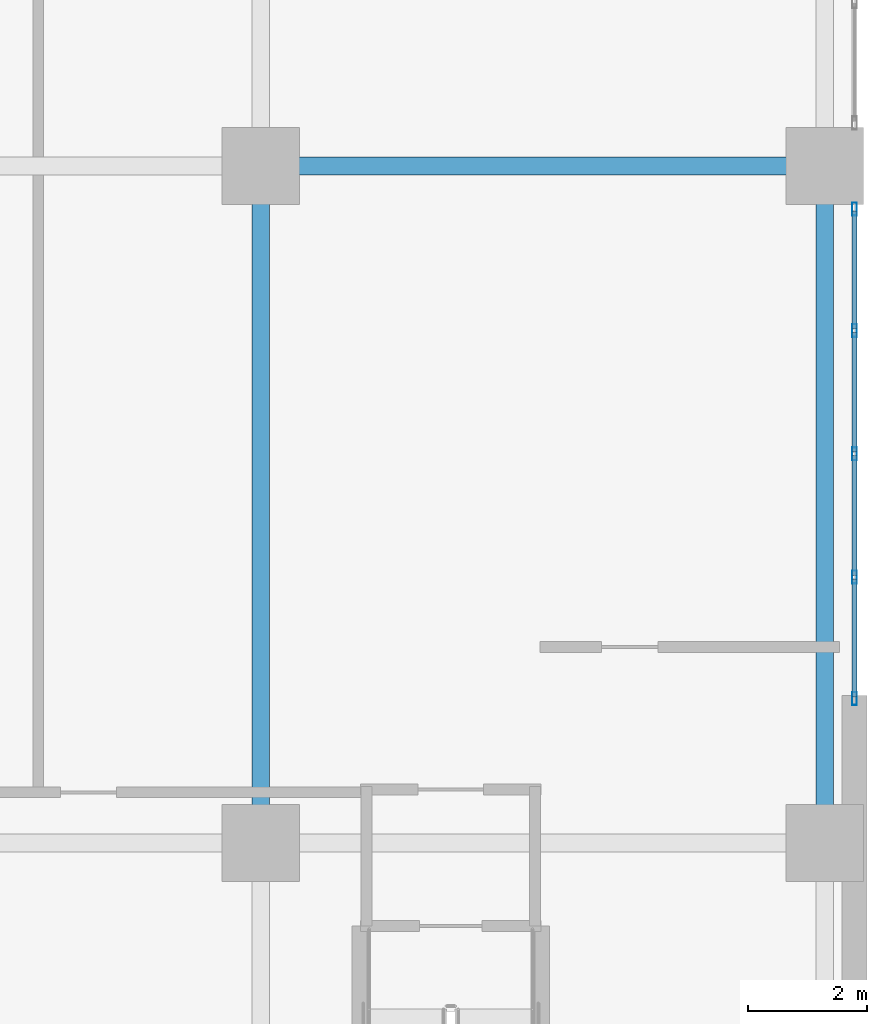
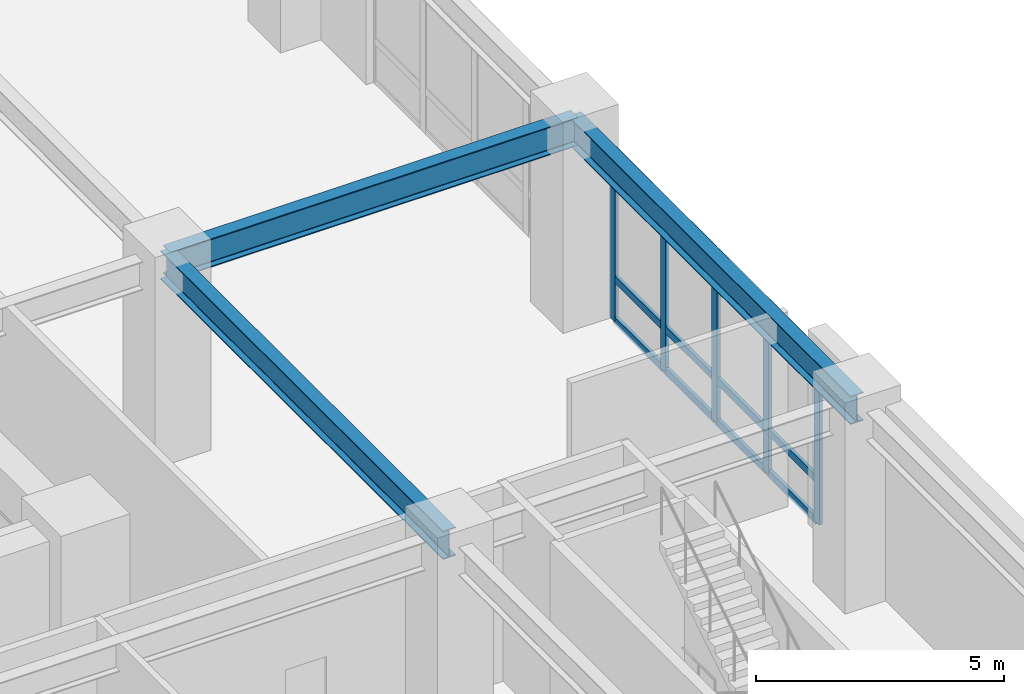
# One storey, part 14 of 26: 17 members, 3 beams, 1 element without a shape of its own.
"""IFC4 building model written with IfcOpenShell, lengths in metres."""

from ifc_helpers import new_model, si_unit, direction, frame, origin, origin_2d, place, context, subcontext, project, spatial, hollow_rectangle, i_section, extrude, material, layer, layer_set, material_profile, profile_set, type_object, element, aggregate, save


model = new_model("IFC4")

# Units and contexts
model_context = context("Model", 3, precision=1e-05, world=origin(), true_north=direction((0.0, 1.0)))
body_context = subcontext(model_context, "Body", "Model", "MODEL_VIEW")
ifc_project = project(units=[si_unit("LENGTHUNIT", "METRE"), si_unit("AREAUNIT", "SQUARE_METRE"), si_unit("VOLUMEUNIT", "CUBIC_METRE"), si_unit("PLANEANGLEUNIT", "RADIAN"), si_unit("MASSUNIT", "GRAM", prefix="KILO")], contexts=[model_context])

# Site, building, storey
site_placement = place(None, origin())
site = spatial("IfcSite", under=ifc_project, at=site_placement, CompositionType="ELEMENT")
building_placement = place(site_placement, origin())
building = spatial("IfcBuilding", under=site, at=building_placement, Name="Voryun Gate Residences", CompositionType="ELEMENT")
storey_placement = place(building_placement, frame((0.0, 0.0, 15.60009765625)))
storey = spatial("IfcBuildingStorey", under=building, at=storey_placement, Name="L03", CompositionType="ELEMENT", Elevation=15.60009765625)

# Beams
ifc_material_1 = material(Name="Steel SM355", Category="steel")
ifc_material_profile_1 = material_profile(ifc_material_1, i_section(OverallWidth=0.300048828125, OverallDepth=0.699951171875, WebThickness=0.012939453125, FlangeThickness=0.02392578125, FilletRadius=0.01806640625, at=origin_2d()), Name="H-700x300x13x24")
ifc_profile_set_1 = profile_set([ifc_material_profile_1], Name="Steel SM355")
beam_type = type_object("IfcBeamType", Name="BM_GIRD_700", PredefinedType="USERDEFINED", material=ifc_profile_set_1)
beam_placement = place(storey_placement, frame((25.60009765625, 0.0, 4.449951171875), z_axis=(1.0, 0.0, 0.0), x_axis=(0.0, 1.0, 0.0)))
element("IfcBeam", 1, at=beam_placement, inside=storey, type_object=beam_type, Name="BM-L03-PEX-+0.0-1", ObjectType="GIRDER", PredefinedType="USERDEFINED", context=body_context, shape_type="SweptSolid", body=[
    extrude(i_section(OverallWidth=0.300048828125, OverallDepth=0.699951171875, WebThickness=0.012939453125, FlangeThickness=0.02392578125, FilletRadius=0.01806640625, at=origin_2d()), origin(), (0.0, 0.0, 1.0), 9.5),
])
for number, where, z_axis, x_axis, name in (
    (2, (25.60009765625, -11.39990234375, 4.449951171875), (0.0, 1.0, 0.0), (-1.0, 0.0, 0.0), "BM-L03-PEY-+25.6-1"),
    (3, (35.10009765625, -11.39990234375, 4.449951171875), (0.0, 1.0, 0.0), (-1.0, 0.0, 0.0), "BM-L03-PEY-+35.1-1"),
):
    element("IfcBeam", number, at=place(storey_placement, frame(where, z_axis=z_axis, x_axis=x_axis)), inside=storey, type_object=beam_type, Name=name, ObjectType="GIRDER", PredefinedType="USERDEFINED", context=body_context, shape_type="SweptSolid", body=[
        extrude(i_section(OverallWidth=0.300048828125, OverallDepth=0.699951171875, WebThickness=0.012939453125, FlangeThickness=0.02392578125, FilletRadius=0.01806640625, at=origin_2d()), origin(), (0.0, 0.0, 1.0), 11.39990234375),
    ])

# Curtain wall, members
ifc_material_2 = material(Name="Anodised aluminium", Category="aluminium")
ifc_layer = layer(ifc_material_2, 0.219970703125, Name="CW_SYS_POD_DARK_GLASS")
ifc_layer_set = layer_set([ifc_layer], Name="Anodised aluminium")
curtain_wall_type = type_object("IfcCurtainWallType", Name="CW_SYS_POD_DARK_GLASS", PredefinedType="NOTDEFINED", material=ifc_layer_set)
curtain_wall_placement = place(storey_placement, origin())
curtain_wall = element("IfcCurtainWall", 4, at=curtain_wall_placement, inside=storey, type_object=curtain_wall_type, Name="Curtain wall CW1-L03-EPE-S", PredefinedType="NOTDEFINED")
ifc_material_3 = material(Name="Anodised aluminium", Category="aluminium")
ifc_material_profile_2 = material_profile(ifc_material_3, hollow_rectangle(XDim=0.080078125, YDim=0.219970703125, WallThickness=0.0048828125, at=origin_2d()), Name="ALU-MULL-220x80x5")
ifc_profile_set_2 = profile_set([ifc_material_profile_2], Name="Anodised aluminium")
member_type_1 = type_object("IfcMemberType", Name="CW_MULL_POD", PredefinedType="MULLION", material=ifc_profile_set_2)
member_1_placement = place(storey_placement, frame((35.60009765625, -8.969970703125, 0.0), z_axis=(0.0, 0.0, 1.0), x_axis=(-1.0, 0.0, 0.0)))
member_1 = element("IfcMember", 5, at=member_1_placement, type_object=member_type_1, Name="CW1 mullion 1", PredefinedType="MULLION", context=body_context, shape_type="SweptSolid", body=[
    extrude(hollow_rectangle(XDim=0.080078125, YDim=0.219970703125, WallThickness=0.0048828125, at=origin_2d()), origin(), (0.0, 0.0, 1.0), 4.199951171875),
])
member_2_placement = place(storey_placement, frame((35.60009765625, -6.923828125, 0.0), z_axis=(0.0, 0.0, 1.0), x_axis=(-1.0, 0.0, 0.0)))
member_2 = element("IfcMember", 6, at=member_2_placement, type_object=member_type_1, Name="CW1 mullion 2", PredefinedType="MULLION", context=body_context, shape_type="SweptSolid", body=[
    extrude(hollow_rectangle(XDim=0.080078125, YDim=0.219970703125, WallThickness=0.0048828125, at=origin_2d()), origin(), (0.0, 0.0, 1.0), 4.199951171875),
])
member_3_placement = place(storey_placement, frame((35.60009765625, -4.847412109375, 0.0), z_axis=(0.0, 0.0, 1.0), x_axis=(-1.0, 0.0, 0.0)))
member_3 = element("IfcMember", 7, at=member_3_placement, type_object=member_type_1, Name="CW1 mullion 3", PredefinedType="MULLION", context=body_context, shape_type="SweptSolid", body=[
    extrude(hollow_rectangle(XDim=0.080078125, YDim=0.219970703125, WallThickness=0.0048828125, at=origin_2d()), origin(), (0.0, 0.0, 1.0), 4.199951171875),
])
member_4_placement = place(storey_placement, frame((35.60009765625, -2.771240234375, 0.0), z_axis=(0.0, 0.0, 1.0), x_axis=(-1.0, 0.0, 0.0)))
member_4 = element("IfcMember", 8, at=member_4_placement, type_object=member_type_1, Name="CW1 mullion 4", PredefinedType="MULLION", context=body_context, shape_type="SweptSolid", body=[
    extrude(hollow_rectangle(XDim=0.080078125, YDim=0.219970703125, WallThickness=0.0048828125, at=origin_2d()), origin(), (0.0, 0.0, 1.0), 4.199951171875),
])
member_5_placement = place(storey_placement, frame((35.60009765625, -0.72509765625, 0.0), z_axis=(0.0, 0.0, 1.0), x_axis=(-1.0, 0.0, 0.0)))
member_5 = element("IfcMember", 9, at=member_5_placement, type_object=member_type_1, Name="CW1 mullion 5", PredefinedType="MULLION", context=body_context, shape_type="SweptSolid", body=[
    extrude(hollow_rectangle(XDim=0.080078125, YDim=0.219970703125, WallThickness=0.0048828125, at=origin_2d()), origin(), (0.0, 0.0, 1.0), 4.199951171875),
])
ifc_material_4 = material(Name="Anodised aluminium", Category="aluminium")
ifc_material_profile_3 = material_profile(ifc_material_4, hollow_rectangle(XDim=0.080078125, YDim=0.179931640625, WallThickness=0.0048828125, at=origin_2d()), Name="ALU-TRAN-180x80x5")
ifc_profile_set_3 = profile_set([ifc_material_profile_3], Name="Anodised aluminium")
member_type_2 = type_object("IfcMemberType", Name="CW_TRAN_POD", PredefinedType="USERDEFINED", material=ifc_profile_set_3)
member_6_placement = place(storey_placement, frame((35.60009765625, -8.93994140625, 0.02978515625), z_axis=(0.0, 1.0, 0.0), x_axis=(-1.0, 0.0, 0.0)))
member_6 = element("IfcMember", 10, at=member_6_placement, type_object=member_type_2, Name="CW1 transom 1.1", ObjectType="TRANSOM", PredefinedType="USERDEFINED", context=body_context, shape_type="SweptSolid", body=[
    extrude(hollow_rectangle(XDim=0.080078125, YDim=0.179931640625, WallThickness=0.0048828125, at=origin_2d()), origin(), (0.0, 0.0, 1.0), 1.986083984375),
])
member_7_placement = place(storey_placement, frame((35.60009765625, -8.93994140625, 1.0498046875), z_axis=(0.0, 1.0, 0.0), x_axis=(-1.0, 0.0, 0.0)))
member_7 = element("IfcMember", 11, at=member_7_placement, type_object=member_type_2, Name="CW1 transom 1.2", ObjectType="TRANSOM", PredefinedType="USERDEFINED", context=body_context, shape_type="SweptSolid", body=[
    extrude(hollow_rectangle(XDim=0.080078125, YDim=0.179931640625, WallThickness=0.0048828125, at=origin_2d()), origin(), (0.0, 0.0, 1.0), 1.986083984375),
])
member_8_placement = place(storey_placement, frame((35.60009765625, -8.93994140625, 4.169921875), z_axis=(0.0, 1.0, 0.0), x_axis=(-1.0, 0.0, 0.0)))
member_8 = element("IfcMember", 12, at=member_8_placement, type_object=member_type_2, Name="CW1 transom 1.3", ObjectType="TRANSOM", PredefinedType="USERDEFINED", context=body_context, shape_type="SweptSolid", body=[
    extrude(hollow_rectangle(XDim=0.080078125, YDim=0.179931640625, WallThickness=0.0048828125, at=origin_2d()), origin(), (0.0, 0.0, 1.0), 1.986083984375),
])
member_9_placement = place(storey_placement, frame((35.60009765625, -6.893798828125, 0.02978515625), z_axis=(0.0, 1.0, 0.0), x_axis=(-1.0, 0.0, 0.0)))
member_9 = element("IfcMember", 13, at=member_9_placement, type_object=member_type_2, Name="CW1 transom 2.1", ObjectType="TRANSOM", PredefinedType="USERDEFINED", context=body_context, shape_type="SweptSolid", body=[
    extrude(hollow_rectangle(XDim=0.080078125, YDim=0.179931640625, WallThickness=0.0048828125, at=origin_2d()), origin(), (0.0, 0.0, 1.0), 2.016357421875),
])
member_10_placement = place(storey_placement, frame((35.60009765625, -6.893798828125, 1.0498046875), z_axis=(0.0, 1.0, 0.0), x_axis=(-1.0, 0.0, 0.0)))
member_10 = element("IfcMember", 14, at=member_10_placement, type_object=member_type_2, Name="CW1 transom 2.2", ObjectType="TRANSOM", PredefinedType="USERDEFINED", context=body_context, shape_type="SweptSolid", body=[
    extrude(hollow_rectangle(XDim=0.080078125, YDim=0.179931640625, WallThickness=0.0048828125, at=origin_2d()), origin(), (0.0, 0.0, 1.0), 2.016357421875),
])
member_11_placement = place(storey_placement, frame((35.60009765625, -6.893798828125, 4.169921875), z_axis=(0.0, 1.0, 0.0), x_axis=(-1.0, 0.0, 0.0)))
member_11 = element("IfcMember", 15, at=member_11_placement, type_object=member_type_2, Name="CW1 transom 2.3", ObjectType="TRANSOM", PredefinedType="USERDEFINED", context=body_context, shape_type="SweptSolid", body=[
    extrude(hollow_rectangle(XDim=0.080078125, YDim=0.179931640625, WallThickness=0.0048828125, at=origin_2d()), origin(), (0.0, 0.0, 1.0), 2.016357421875),
])
member_12_placement = place(storey_placement, frame((35.60009765625, -4.8173828125, 0.02978515625), z_axis=(0.0, 1.0, 0.0), x_axis=(-1.0, 0.0, 0.0)))
member_12 = element("IfcMember", 16, at=member_12_placement, type_object=member_type_2, Name="CW1 transom 3.1", ObjectType="TRANSOM", PredefinedType="USERDEFINED", context=body_context, shape_type="SweptSolid", body=[
    extrude(hollow_rectangle(XDim=0.080078125, YDim=0.179931640625, WallThickness=0.0048828125, at=origin_2d()), origin(), (0.0, 0.0, 1.0), 2.01611328125),
])
member_13_placement = place(storey_placement, frame((35.60009765625, -4.8173828125, 1.0498046875), z_axis=(0.0, 1.0, 0.0), x_axis=(-1.0, 0.0, 0.0)))
member_13 = element("IfcMember", 17, at=member_13_placement, type_object=member_type_2, Name="CW1 transom 3.2", ObjectType="TRANSOM", PredefinedType="USERDEFINED", context=body_context, shape_type="SweptSolid", body=[
    extrude(hollow_rectangle(XDim=0.080078125, YDim=0.179931640625, WallThickness=0.0048828125, at=origin_2d()), origin(), (0.0, 0.0, 1.0), 2.01611328125),
])
member_14_placement = place(storey_placement, frame((35.60009765625, -4.8173828125, 4.169921875), z_axis=(0.0, 1.0, 0.0), x_axis=(-1.0, 0.0, 0.0)))
member_14 = element("IfcMember", 18, at=member_14_placement, type_object=member_type_2, Name="CW1 transom 3.3", ObjectType="TRANSOM", PredefinedType="USERDEFINED", context=body_context, shape_type="SweptSolid", body=[
    extrude(hollow_rectangle(XDim=0.080078125, YDim=0.179931640625, WallThickness=0.0048828125, at=origin_2d()), origin(), (0.0, 0.0, 1.0), 2.01611328125),
])
member_15_placement = place(storey_placement, frame((35.60009765625, -2.7412109375, 0.02978515625), z_axis=(0.0, 1.0, 0.0), x_axis=(-1.0, 0.0, 0.0)))
member_15 = element("IfcMember", 19, at=member_15_placement, type_object=member_type_2, Name="CW1 transom 4.1", ObjectType="TRANSOM", PredefinedType="USERDEFINED", context=body_context, shape_type="SweptSolid", body=[
    extrude(hollow_rectangle(XDim=0.080078125, YDim=0.179931640625, WallThickness=0.0048828125, at=origin_2d()), origin(), (0.0, 0.0, 1.0), 1.986328125),
])
member_16_placement = place(storey_placement, frame((35.60009765625, -2.7412109375, 1.0498046875), z_axis=(0.0, 1.0, 0.0), x_axis=(-1.0, 0.0, 0.0)))
member_16 = element("IfcMember", 20, at=member_16_placement, type_object=member_type_2, Name="CW1 transom 4.2", ObjectType="TRANSOM", PredefinedType="USERDEFINED", context=body_context, shape_type="SweptSolid", body=[
    extrude(hollow_rectangle(XDim=0.080078125, YDim=0.179931640625, WallThickness=0.0048828125, at=origin_2d()), origin(), (0.0, 0.0, 1.0), 1.986328125),
])
member_17_placement = place(storey_placement, frame((35.60009765625, -2.7412109375, 4.169921875), z_axis=(0.0, 1.0, 0.0), x_axis=(-1.0, 0.0, 0.0)))
member_17 = element("IfcMember", 21, at=member_17_placement, type_object=member_type_2, Name="CW1 transom 4.3", ObjectType="TRANSOM", PredefinedType="USERDEFINED", context=body_context, shape_type="SweptSolid", body=[
    extrude(hollow_rectangle(XDim=0.080078125, YDim=0.179931640625, WallThickness=0.0048828125, at=origin_2d()), origin(), (0.0, 0.0, 1.0), 1.986328125),
])
aggregate(curtain_wall, [member_1, member_2, member_3, member_4, member_5, member_6, member_7, member_8, member_9, member_10, member_11, member_12, member_13, member_14, member_15, member_16, member_17])

save(model, "model.ifc")
